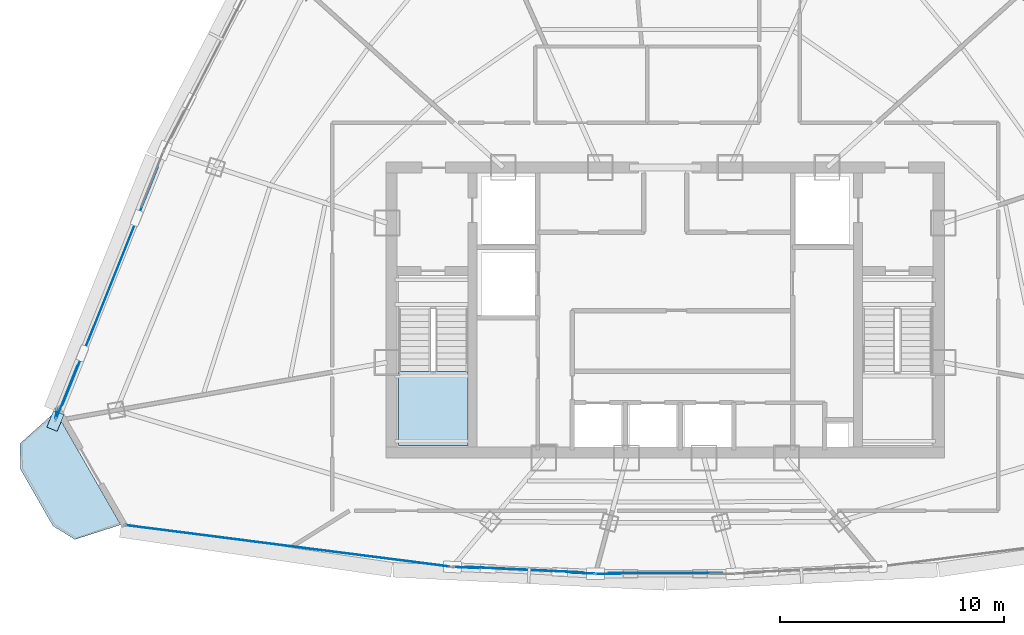
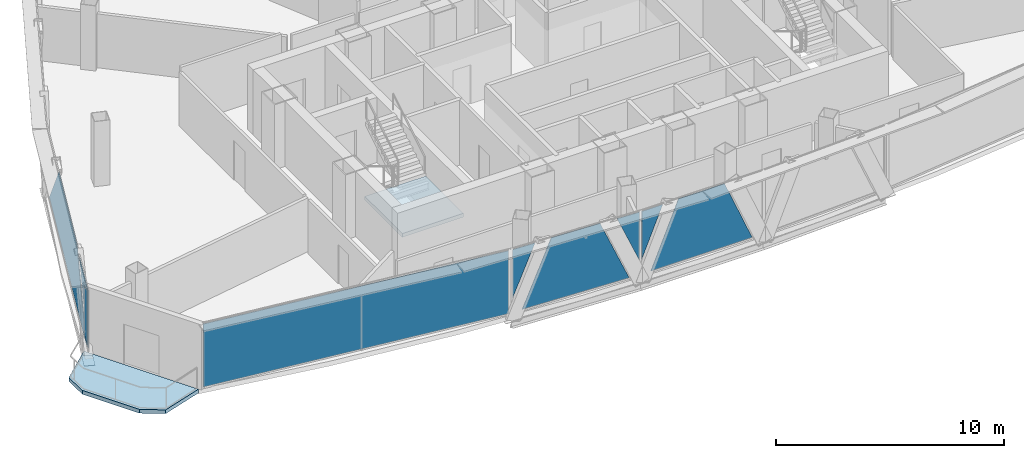
# One storey, part 22 of 30: 10 plates, 2 slabs, 6 elements without a shape of their own.
"""IFC4 building model written with IfcOpenShell, lengths in metres."""

from ifc_helpers import new_model, si_unit, direction, frame, origin, origin_2d, place, context, subcontext, project, spatial, polyline, rectangle, outline, extrude, source, transform, mapped, material, layer, layer_set, type_object, element, aggregate, save


model = new_model("IFC4")

# Units and contexts
model_context = context("Model", 3, precision=1e-05, world=origin(), true_north=direction((0.0, 1.0)))
body_context = subcontext(model_context, "Body", "Model", "MODEL_VIEW")
ifc_project = project(units=[si_unit("LENGTHUNIT", "METRE"), si_unit("AREAUNIT", "SQUARE_METRE"), si_unit("VOLUMEUNIT", "CUBIC_METRE"), si_unit("PLANEANGLEUNIT", "RADIAN"), si_unit("MASSUNIT", "GRAM", prefix="KILO"), si_unit("THERMODYNAMICTEMPERATUREUNIT", "KELVIN"), si_unit("POWERUNIT", "WATT")], contexts=[model_context])

# Site, building, storey
site_placement = place(None, origin())
site = spatial("IfcSite", under=ifc_project, at=site_placement, CompositionType="ELEMENT")
building_placement = place(site_placement, origin())
building = spatial("IfcBuilding", under=site, at=building_placement, Name="Yunzhuo Pagoda Commons", CompositionType="ELEMENT")
storey_placement = place(building_placement, frame((0.0, 0.0, 351.760009765625)))
storey = spatial("IfcBuildingStorey", under=building, at=storey_placement, Name="L88", CompositionType="ELEMENT", Elevation=351.760009765625)

# Curtain wall, plates
ifc_material_1 = material(Name="Anodized aluminium 6063-T6", Category="aluminium")
ifc_layer_1 = layer(ifc_material_1, 0.139892578125)
ifc_layer_set_1 = layer_set([ifc_layer_1], Name="Anodized aluminium 6063-T6")
curtain_wall_type = type_object("IfcCurtainWallType", Name="CW-HI High-Zone Ribbon Curtain Wall", PredefinedType="NOTDEFINED", material=ifc_layer_set_1)
curtain_wall_1_placement = place(storey_placement, origin())
curtain_wall_1 = element("IfcCurtainWall", 1, at=curtain_wall_1_placement, inside=storey, type_object=curtain_wall_type, Name="L88 curtain wall CW-L88-F1B2", PredefinedType="NOTDEFINED")
ifc_material_2 = material(Name="Tempered low-e double glazing", Category="glass")
ifc_layer_2 = layer(ifc_material_2, 0.02587890625)
ifc_layer_set_2 = layer_set([ifc_layer_2], Name="Tempered low-e double glazing")
plate_type_1 = type_object("IfcPlateType", Name="CW-HI-P Low-E Double Glazing 26", PredefinedType="CURTAIN_PANEL", material=ifc_layer_set_2)
plate_1_placement = place(storey_placement, frame((39.122314453125, 22.3779296875, 2.143310546875), z_axis=(-0.047859147719, -0.99885409444, 0.0), x_axis=(0.99885409444, -0.047859147719, 0.0)))
plate_1 = element("IfcPlate", 2, at=plate_1_placement, type_object=plate_type_1, Name="CW panel 1.1 lite 1", PredefinedType="CURTAIN_PANEL", context=body_context, shape_type="SweptSolid", body=[
    extrude(outline(polyline([(-0.5498046875, -1.291748046875), (0.5498046875, 1.291748046875), (-0.5498046875, 1.291748046875), (-0.5498046875, -1.291748046875)])), origin(), (0.0, 0.0, 1.0), 0.028076171875),
])
plate_2_placement = place(storey_placement, frame((41.70263671875, 22.284423828125, 1.744873046875), z_axis=(-0.047859147719, -0.99885409444, 0.0), x_axis=(0.99885409444, -0.047859147719, 0.0)))
plate_2 = element("IfcPlate", 3, at=plate_2_placement, type_object=plate_type_1, Name="CW panel 1.1 lite 2", PredefinedType="CURTAIN_PANEL", context=body_context, shape_type="SweptSolid", body=[
    extrude(outline(polyline([(-2.64453125, -1.68994140625), (2.64453125, -1.68994140625), (1.206298828125, 1.68994140625), (-1.206298828125, 1.68994140625), (-2.64453125, -1.68994140625)])), origin(), (0.0, 0.0, 1.0), 0.028076171875),
])
plate_3_placement = place(storey_placement, frame((44.2802734375, 22.130859375, 2.143310546875), z_axis=(-0.047859147719, -0.99885409444, 0.0), x_axis=(0.99885409444, -0.047859147719, 0.0)))
plate_3 = element("IfcPlate", 4, at=plate_3_placement, type_object=plate_type_1, Name="CW panel 1.1 lite 3", PredefinedType="CURTAIN_PANEL", context=body_context, shape_type="SweptSolid", body=[
    extrude(outline(polyline([(-0.5498046875, 1.291748046875), (0.5498046875, -1.291748046875), (0.5498046875, 1.291748046875), (-0.5498046875, 1.291748046875)])), origin(), (0.0, 0.0, 1.0), 0.028076171875),
])
aggregate(curtain_wall_1, [plate_1, plate_2, plate_3])

curtain_wall_2_placement = place(storey_placement, origin())
curtain_wall_2 = element("IfcCurtainWall", 5, at=curtain_wall_2_placement, inside=storey, type_object=curtain_wall_type, Name="L88 curtain wall CW-L88-F1B3", PredefinedType="NOTDEFINED")
plate_4_placement = place(storey_placement, frame((45.479248046875, 22.1015625, 2.15576171875), z_axis=(0.0, -1.0, 0.0), x_axis=(1.0, 0.0, 0.0)))
plate_4 = element("IfcPlate", 6, at=plate_4_placement, type_object=plate_type_1, Name="CW panel 1.1 lite 1", PredefinedType="CURTAIN_PANEL", context=body_context, shape_type="SweptSolid", body=[
    extrude(outline(polyline([(-0.53076171875, -1.279296875), (0.53076171875, 1.279296875), (-0.53076171875, 1.279296875), (-0.53076171875, -1.279296875)])), origin(), (0.0, 0.0, 1.0), 0.028076171875),
])
plate_5_placement = place(storey_placement, frame((48.0, 22.1318359375, 1.744873046875), z_axis=(0.0, -1.0, 0.0), x_axis=(1.0, 0.0, 0.0)))
plate_5 = element("IfcPlate", 7, at=plate_5_placement, type_object=plate_type_1, Name="CW panel 1.1 lite 2", PredefinedType="CURTAIN_PANEL", context=body_context, shape_type="SweptSolid", body=[
    extrude(outline(polyline([(-2.5693359375, -1.68994140625), (2.5693359375, -1.68994140625), (1.167236328125, 1.68994140625), (-1.167236328125, 1.68994140625), (-2.5693359375, -1.68994140625)])), origin(), (0.0, 0.0, 1.0), 0.028076171875),
])
aggregate(curtain_wall_2, [plate_4, plate_5])

curtain_wall_3_placement = place(storey_placement, origin())
curtain_wall_3 = element("IfcCurtainWall", 8, at=curtain_wall_3_placement, inside=storey, type_object=curtain_wall_type, Name="L88 curtain wall CW-L88-F3B4", PredefinedType="NOTDEFINED")
plate_6_placement = place(storey_placement, frame((23.26708984375, 34.91796875, 1.744873046875), z_axis=(-0.92803921175, 0.372482511608, 0.0), x_axis=(-0.372482511608, -0.92803921175, 0.0)))
plate_6 = element("IfcPlate", 9, at=plate_6_placement, type_object=plate_type_1, Name="CW panel 1.1 lite 2", PredefinedType="CURTAIN_PANEL", context=body_context, shape_type="SweptSolid", body=[
    extrude(outline(polyline([(-5.720947265625, -1.68994140625), (5.720947265625, -1.68994140625), (2.793212890625, 1.68994140625), (-2.793212890625, 1.68994140625), (-5.720947265625, -1.68994140625)])), origin(), (0.0, 0.0, 1.0), 0.028076171875),
])
plate_7_placement = place(storey_placement, frame((21.3330078125, 30.1796875, 1.912353515625), z_axis=(-0.92803921175, 0.372482511608, 0.0), x_axis=(-0.372482511608, -0.92803921175, 0.0)))
plate_7 = element("IfcPlate", 10, at=plate_7_placement, type_object=plate_type_1, Name="CW panel 1.1 lite 3", PredefinedType="CURTAIN_PANEL", context=body_context, shape_type="SweptSolid", body=[
    extrude(outline(polyline([(-1.31884765625, 1.522705078125), (1.31884765625, -1.522705078125), (1.31884765625, 1.522705078125), (-1.31884765625, 1.522705078125)])), origin(), (0.0, 0.0, 1.0), 0.028076171875),
])
aggregate(curtain_wall_3, [plate_6, plate_7])

# Curtain wall, plate
curtain_wall_4_placement = place(storey_placement, origin())
curtain_wall_4 = element("IfcCurtainWall", 11, at=curtain_wall_4_placement, inside=storey, type_object=curtain_wall_type, Name="L88 curtain wall CW-L88-F3B5", PredefinedType="NOTDEFINED")
plate_8_placement = place(storey_placement, frame((20.841552734375, 29.228515625, 1.96240234375), z_axis=(0.988629179637, -0.150374017607, 0.0), x_axis=(0.150374017607, 0.988629179637, 0.0)))
plate_8 = element("IfcPlate", 12, at=plate_8_placement, type_object=plate_type_1, Name="CW panel 1.1 lite 1", PredefinedType="CURTAIN_PANEL", context=body_context, shape_type="SweptSolid", body=[
    extrude(outline(polyline([(-0.18994140625, -1.472900390625), (0.18994140625, -1.02197265625), (0.18994140625, 1.47265625), (-0.18994140625, 1.47265625), (-0.18994140625, -1.472900390625)])), origin(), (0.0, 0.0, 1.0), 0.028076171875),
])
aggregate(curtain_wall_4, [plate_8])

# Slab
ifc_material_3 = material(Name="Concrete C40", Category="concrete")
ifc_layer_3 = layer(ifc_material_3, 0.199951171875)
ifc_layer_set_3 = layer_set([ifc_layer_3], Name="Concrete C40")
slab_type_1 = type_object("IfcSlabType", Name="SL-BAL Vertex Balcony Deck Slab 200", PredefinedType="FLOOR", material=ifc_layer_set_3)
slab_1_placement = place(storey_placement, frame((0.0, 0.0, -0.199951171875)))
element("IfcSlab", 13, at=slab_1_placement, inside=storey, type_object=slab_type_1, Name="L88 corner balcony V1", PredefinedType="FLOOR", context=body_context, shape_type="SweptSolid", body=[
    extrude(outline(polyline([(20.8232421875, 29.323974609375), (23.722412109375, 24.274658203125), (21.681640625, 23.62158203125), (20.703857421875, 24.219970703125), (19.25439453125, 26.74462890625), (19.23046875, 27.890625), (20.8232421875, 29.323974609375)])), origin(), (0.0, 0.0, 1.0), 0.199951171875),
])

# Stair, slab
stair_type = type_object("IfcStairType", Name="ST-C1 Core Smokeproof Stair ST1", PredefinedType="HALF_TURN_STAIR", material=ifc_material_3)
stair_placement = place(storey_placement, origin())
stair = element("IfcStair", 14, at=stair_placement, inside=storey, type_object=stair_type, Name="L88 Core smokeproof stair ST1", PredefinedType="HALF_TURN_STAIR")
ifc_layer_4 = layer(ifc_material_3, 0.199951171875)
ifc_layer_set_4 = layer_set([ifc_layer_4], Name="Concrete C40")
slab_type_2 = type_object("IfcSlabType", Name="SL-LND1 Stair Landing Slab 200", PredefinedType="LANDING", material=ifc_layer_set_4)
slab_2_placement = place(storey_placement, frame((0.0, 0.0, 1.675048828125)))
slab_2 = element("IfcSlab", 15, at=slab_2_placement, type_object=slab_type_2, Name="ST1 landing 1", PredefinedType="LANDING", context=body_context, shape_type="SweptSolid", body=[
    extrude(outline(polyline([(36.10009765625, 31.10009765625), (36.10009765625, 27.800048828125), (39.199951171875, 27.800048828125), (39.199951171875, 31.10009765625), (36.10009765625, 31.10009765625)])), origin(), (0.0, 0.0, 1.0), 0.199951171875),
])
aggregate(stair, [slab_2])

# Plate
ifc_material_4 = material(Name="Structural steel Q355B", Category="steel")
ifc_layer_5 = layer(ifc_material_4, 0.028076171875)
ifc_layer_set_5 = layer_set([ifc_layer_5], Name="Structural steel Q355B")
plate_type_2 = type_object("IfcPlateType", Name="SP-ND1 Lattice Node Cap Plate 800x500x28", PredefinedType="USERDEFINED", material=ifc_layer_set_5)
shared_shape_1 = source(origin(), body_context, "Body", "SweptSolid", [
    extrude(rectangle(XDim=0.800048828125, YDim=0.5, at=origin_2d()), origin(), (0.0, 0.0, 1.0), 0.028076171875),
])
plate_9_placement = place(storey_placement, frame((20.806396484375, 28.905029296875, -0.27392578125), z_axis=(0.0, 0.0, 1.0), x_axis=(-0.372485720283, -0.928037923894, 0.0)))
element("IfcPlate", 16, at=plate_9_placement, inside=storey, type_object=plate_type_2, Name="L88 diamond node plate F3.3B", ObjectType="STIFFENER_PLATE", PredefinedType="USERDEFINED", context=body_context, shape_type="MappedRepresentation", body=[
    mapped(shared_shape_1, transform((0.0, 0.0, 0.0), scale=1.0)),
])

# Curtain wall, plate
curtain_wall_5_placement = place(storey_placement, origin())
curtain_wall_5 = element("IfcCurtainWall", 17, at=curtain_wall_5_placement, inside=storey, type_object=curtain_wall_type, Name="L88 curtain wall CW-L88-F1B1", PredefinedType="NOTDEFINED")
shared_shape_2 = source(origin(), body_context, "Body", "SweptSolid", [
    extrude(rectangle(XDim=14.54931640625, YDim=0.028076171875, at=origin_2d()), origin(), (0.0, 0.0, 1.0), 3.3798828125),
])
plate_10_placement = place(storey_placement, frame((31.162353515625, 23.3310546875, 0.054931640625), z_axis=(0.0, 0.0, 1.0), x_axis=(0.991957593696, -0.126570661327, 0.0)))
plate_10 = element("IfcPlate", 18, at=plate_10_placement, type_object=plate_type_1, Name="CW panel 1.1", PredefinedType="CURTAIN_PANEL", context=body_context, shape_type="MappedRepresentation", body=[
    mapped(shared_shape_2, transform((0.0, 0.0, 0.0), scale=1.0)),
])
aggregate(curtain_wall_5, [plate_10])

save(model, "model.ifc")
